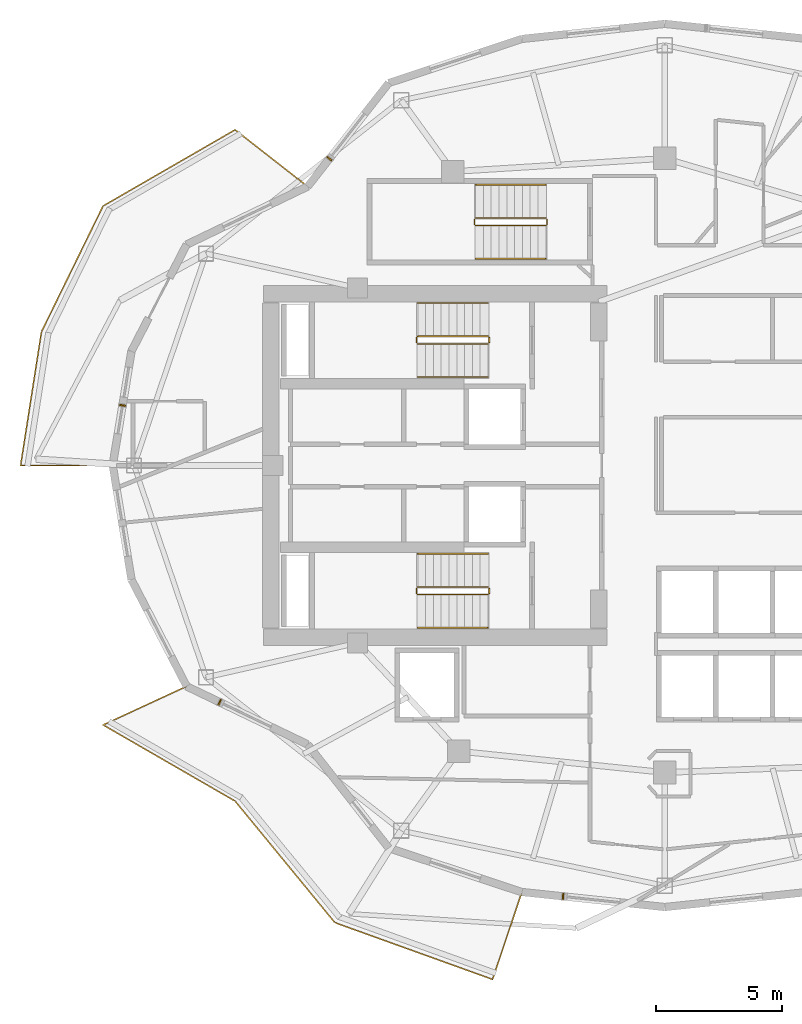
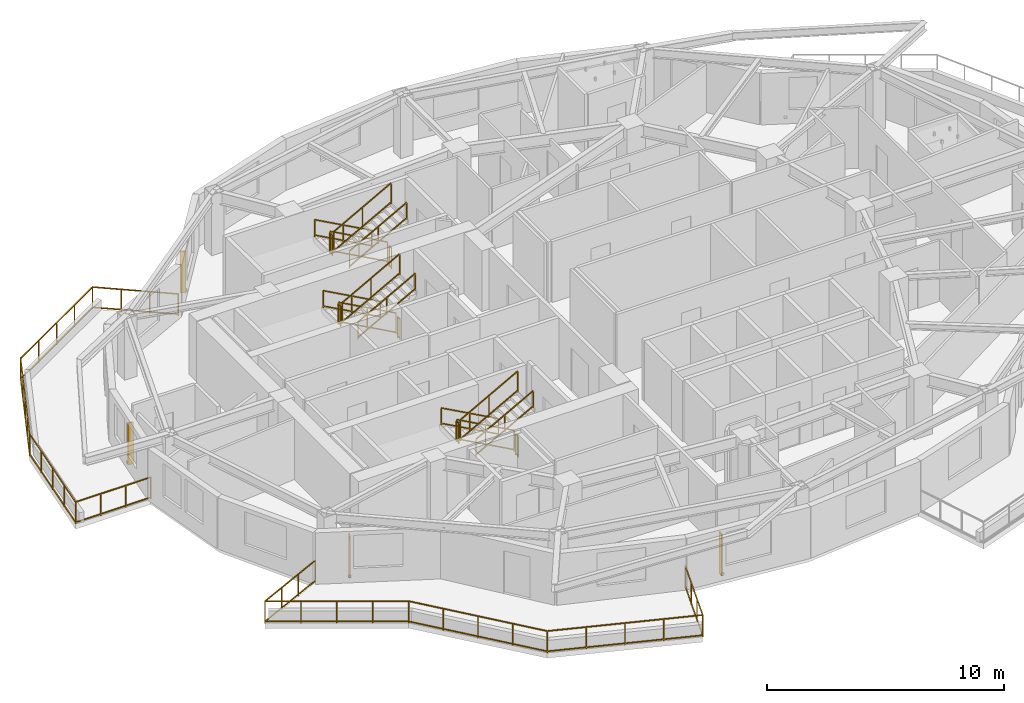
# One storey, part 9 of 10: 20 railings, 4 shading devices.
"""IFC4 building model written with IfcOpenShell, lengths in metres."""

from ifc_helpers import new_model, si_unit, direction, frame, origin, origin_2d, place, context, subcontext, project, spatial, rectangle, extrude, material, type_object, element, save


model = new_model("IFC4")

# Units and contexts
model_context = context("Model", 3, precision=1e-05, world=origin(), true_north=direction((0.0, 1.0)))
body_context = subcontext(model_context, "Body", "Model", "MODEL_VIEW")
ifc_project = project(units=[si_unit("LENGTHUNIT", "METRE"), si_unit("AREAUNIT", "SQUARE_METRE"), si_unit("VOLUMEUNIT", "CUBIC_METRE"), si_unit("PLANEANGLEUNIT", "RADIAN"), si_unit("MASSUNIT", "GRAM", prefix="KILO")], contexts=[model_context])

# Site, building, storey
site_placement = place(None, origin())
site = spatial("IfcSite", under=ifc_project, at=site_placement, CompositionType="ELEMENT")
building_placement = place(site_placement, origin())
building = spatial("IfcBuilding", under=site, at=building_placement, Name="Kolvaren Gate Tower and Convention Centre", CompositionType="ELEMENT")
storey_placement = place(building_placement, frame((0.0, 0.0, 146.10009765625)))
storey = spatial("IfcBuildingStorey", under=building, at=storey_placement, Name="L37", CompositionType="ELEMENT", Elevation=146.10009765625)

# Railings
ifc_material_1 = material(Name="Brushed Stainless Steel Grade 316L", Category="steel")
railing_type_1 = type_object("IfcRailingType", Name="ARCH-RL-GUARD-1150", PredefinedType="GUARDRAIL", material=ifc_material_1)
railing_1_placement = place(storey_placement, frame((23.10009765625, 32.1298828125, 0.169921875)))
element("IfcRailing", 1, at=railing_1_placement, inside=storey, type_object=railing_type_1, Name="L37 ST-T1 stair guard 1", PredefinedType="GUARDRAIL", context=body_context, shape_type="SweptSolid", body=[
    extrude(rectangle(XDim=0.048095703125, YDim=0.048095703125, at=origin_2d()), frame((0.0, 0.0, 1.076171875), z_axis=(-0.876811365212, 0.0, 0.480834513982), x_axis=(0.0, -1.0, 0.0)), (0.0, 0.0, 1.0), 3.18212890625),
    extrude(rectangle(XDim=0.048095703125, YDim=0.048095703125, at=origin_2d()), frame((0.0, 0.0, 0.083984375), z_axis=(-0.876811365212, 0.0, 0.480834513982), x_axis=(0.0, -1.0, 0.0)), (0.0, 0.0, 1.0), 3.18212890625),
    extrude(rectangle(XDim=0.0419921875, YDim=0.0419921875, at=origin_2d()), origin(), (0.0, 0.0, 1.0), 1.050048828125),
    extrude(rectangle(XDim=0.0419921875, YDim=0.0419921875, at=origin_2d()), frame((-2.7900390625, 0.0, 1.530029296875)), (0.0, 0.0, 1.0), 1.050048828125),
    extrude(rectangle(XDim=0.0419921875, YDim=0.0419921875, at=origin_2d()), frame((-1.39501953125, 0.0, 0.76513671875)), (0.0, 0.0, 1.0), 1.050048828125),
])
railing_2_placement = place(storey_placement, frame((20.260009765625, 32.080078125, 1.699951171875)))
element("IfcRailing", 2, at=railing_2_placement, inside=storey, type_object=railing_type_1, Name="L37 ST-T1 stair guard 2", PredefinedType="GUARDRAIL", context=body_context, shape_type="SweptSolid", body=[
    extrude(rectangle(XDim=0.048095703125, YDim=0.048095703125, at=origin_2d()), frame((0.0, 0.0, 1.076171875), z_axis=(0.0, -1.0, 0.0), x_axis=(1.0, 0.0, 0.0)), (0.0, 0.0, 1.0), 0.2001953125),
    extrude(rectangle(XDim=0.048095703125, YDim=0.048095703125, at=origin_2d()), frame((0.0, 0.0, 0.083984375), z_axis=(0.0, -1.0, 0.0), x_axis=(1.0, 0.0, 0.0)), (0.0, 0.0, 1.0), 0.2001953125),
    extrude(rectangle(XDim=0.0419921875, YDim=0.0419921875, at=origin_2d()), origin(), (0.0, 0.0, 1.0), 1.050048828125),
    extrude(rectangle(XDim=0.0419921875, YDim=0.0419921875, at=origin_2d()), frame((0.0, -0.2001953125, 0.0)), (0.0, 0.0, 1.0), 1.050048828125),
])
railing_3_placement = place(storey_placement, frame((20.31005859375, 31.830078125, 1.869873046875)))
element("IfcRailing", 3, at=railing_3_placement, inside=storey, type_object=railing_type_1, Name="L37 ST-T1 stair guard 3", PredefinedType="GUARDRAIL", context=body_context, shape_type="SweptSolid", body=[
    extrude(rectangle(XDim=0.048095703125, YDim=0.048095703125, at=origin_2d()), frame((0.0, 0.0, 1.076171875), z_axis=(0.876811365212, 0.0, 0.480834513982), x_axis=(0.0, 1.0, 0.0)), (0.0, 0.0, 1.0), 3.18212890625),
    extrude(rectangle(XDim=0.048095703125, YDim=0.048095703125, at=origin_2d()), frame((0.0, 0.0, 0.083984375), z_axis=(0.876811365212, 0.0, 0.480834513982), x_axis=(0.0, 1.0, 0.0)), (0.0, 0.0, 1.0), 3.18212890625),
    extrude(rectangle(XDim=0.0419921875, YDim=0.0419921875, at=origin_2d()), origin(), (0.0, 0.0, 1.0), 1.050048828125),
    extrude(rectangle(XDim=0.0419921875, YDim=0.0419921875, at=origin_2d()), frame((2.7900390625, 0.0, 1.530029296875)), (0.0, 0.0, 1.0), 1.050048828125),
    extrude(rectangle(XDim=0.0419921875, YDim=0.0419921875, at=origin_2d()), frame((1.39501953125, 0.0, 0.76513671875)), (0.0, 0.0, 1.0), 1.050048828125),
])
railing_4_placement = place(storey_placement, frame((23.14990234375, 32.080078125, 0.0)))
element("IfcRailing", 4, at=railing_4_placement, inside=storey, type_object=railing_type_1, Name="L37 ST-T1 stair guard 4", PredefinedType="GUARDRAIL", context=body_context, shape_type="SweptSolid", body=[
    extrude(rectangle(XDim=0.048095703125, YDim=0.048095703125, at=origin_2d()), frame((0.0, 0.0, 1.076171875), z_axis=(0.0, -1.0, 0.0), x_axis=(1.0, 0.0, 0.0)), (0.0, 0.0, 1.0), 0.2001953125),
    extrude(rectangle(XDim=0.048095703125, YDim=0.048095703125, at=origin_2d()), frame((0.0, 0.0, 0.083984375), z_axis=(0.0, -1.0, 0.0), x_axis=(1.0, 0.0, 0.0)), (0.0, 0.0, 1.0), 0.2001953125),
    extrude(rectangle(XDim=0.0419921875, YDim=0.0419921875, at=origin_2d()), origin(), (0.0, 0.0, 1.0), 1.050048828125),
    extrude(rectangle(XDim=0.0419921875, YDim=0.0419921875, at=origin_2d()), frame((0.0, -0.2001953125, 0.0)), (0.0, 0.0, 1.0), 1.050048828125),
])
railing_5_placement = place(storey_placement, frame((23.10009765625, 22.169921875, 0.169921875)))
element("IfcRailing", 5, at=railing_5_placement, inside=storey, type_object=railing_type_1, Name="L37 ST-T2 stair guard 1", PredefinedType="GUARDRAIL", context=body_context, shape_type="SweptSolid", body=[
    extrude(rectangle(XDim=0.048095703125, YDim=0.048095703125, at=origin_2d()), frame((0.0, 0.0, 1.076171875), z_axis=(-0.876811365212, 0.0, 0.480834513982), x_axis=(0.0, -1.0, 0.0)), (0.0, 0.0, 1.0), 3.18212890625),
    extrude(rectangle(XDim=0.048095703125, YDim=0.048095703125, at=origin_2d()), frame((0.0, 0.0, 0.083984375), z_axis=(-0.876811365212, 0.0, 0.480834513982), x_axis=(0.0, -1.0, 0.0)), (0.0, 0.0, 1.0), 3.18212890625),
    extrude(rectangle(XDim=0.0419921875, YDim=0.0419921875, at=origin_2d()), origin(), (0.0, 0.0, 1.0), 1.050048828125),
    extrude(rectangle(XDim=0.0419921875, YDim=0.0419921875, at=origin_2d()), frame((-2.7900390625, 0.0, 1.530029296875)), (0.0, 0.0, 1.0), 1.050048828125),
    extrude(rectangle(XDim=0.0419921875, YDim=0.0419921875, at=origin_2d()), frame((-1.39501953125, 0.0, 0.76513671875)), (0.0, 0.0, 1.0), 1.050048828125),
])
railing_6_placement = place(storey_placement, frame((20.260009765625, 22.1201171875, 1.699951171875)))
element("IfcRailing", 6, at=railing_6_placement, inside=storey, type_object=railing_type_1, Name="L37 ST-T2 stair guard 2", PredefinedType="GUARDRAIL", context=body_context, shape_type="SweptSolid", body=[
    extrude(rectangle(XDim=0.048095703125, YDim=0.048095703125, at=origin_2d()), frame((0.0, 0.0, 1.076171875), z_axis=(0.0, -1.0, 0.0), x_axis=(1.0, 0.0, 0.0)), (0.0, 0.0, 1.0), 0.2001953125),
    extrude(rectangle(XDim=0.048095703125, YDim=0.048095703125, at=origin_2d()), frame((0.0, 0.0, 0.083984375), z_axis=(0.0, -1.0, 0.0), x_axis=(1.0, 0.0, 0.0)), (0.0, 0.0, 1.0), 0.2001953125),
    extrude(rectangle(XDim=0.0419921875, YDim=0.0419921875, at=origin_2d()), origin(), (0.0, 0.0, 1.0), 1.050048828125),
    extrude(rectangle(XDim=0.0419921875, YDim=0.0419921875, at=origin_2d()), frame((0.0, -0.2001953125, 0.0)), (0.0, 0.0, 1.0), 1.050048828125),
])
railing_7_placement = place(storey_placement, frame((20.31005859375, 21.8701171875, 1.869873046875)))
element("IfcRailing", 7, at=railing_7_placement, inside=storey, type_object=railing_type_1, Name="L37 ST-T2 stair guard 3", PredefinedType="GUARDRAIL", context=body_context, shape_type="SweptSolid", body=[
    extrude(rectangle(XDim=0.048095703125, YDim=0.048095703125, at=origin_2d()), frame((0.0, 0.0, 1.076171875), z_axis=(0.876811365212, 0.0, 0.480834513982), x_axis=(0.0, 1.0, 0.0)), (0.0, 0.0, 1.0), 3.18212890625),
    extrude(rectangle(XDim=0.048095703125, YDim=0.048095703125, at=origin_2d()), frame((0.0, 0.0, 0.083984375), z_axis=(0.876811365212, 0.0, 0.480834513982), x_axis=(0.0, 1.0, 0.0)), (0.0, 0.0, 1.0), 3.18212890625),
    extrude(rectangle(XDim=0.0419921875, YDim=0.0419921875, at=origin_2d()), origin(), (0.0, 0.0, 1.0), 1.050048828125),
    extrude(rectangle(XDim=0.0419921875, YDim=0.0419921875, at=origin_2d()), frame((2.7900390625, 0.0, 1.530029296875)), (0.0, 0.0, 1.0), 1.050048828125),
    extrude(rectangle(XDim=0.0419921875, YDim=0.0419921875, at=origin_2d()), frame((1.39501953125, 0.0, 0.76513671875)), (0.0, 0.0, 1.0), 1.050048828125),
])
railing_8_placement = place(storey_placement, frame((23.14990234375, 22.1201171875, 0.0)))
element("IfcRailing", 8, at=railing_8_placement, inside=storey, type_object=railing_type_1, Name="L37 ST-T2 stair guard 4", PredefinedType="GUARDRAIL", context=body_context, shape_type="SweptSolid", body=[
    extrude(rectangle(XDim=0.048095703125, YDim=0.048095703125, at=origin_2d()), frame((0.0, 0.0, 1.076171875), z_axis=(0.0, -1.0, 0.0), x_axis=(1.0, 0.0, 0.0)), (0.0, 0.0, 1.0), 0.2001953125),
    extrude(rectangle(XDim=0.048095703125, YDim=0.048095703125, at=origin_2d()), frame((0.0, 0.0, 0.083984375), z_axis=(0.0, -1.0, 0.0), x_axis=(1.0, 0.0, 0.0)), (0.0, 0.0, 1.0), 0.2001953125),
    extrude(rectangle(XDim=0.0419921875, YDim=0.0419921875, at=origin_2d()), origin(), (0.0, 0.0, 1.0), 1.050048828125),
    extrude(rectangle(XDim=0.0419921875, YDim=0.0419921875, at=origin_2d()), frame((0.0, -0.2001953125, 0.0)), (0.0, 0.0, 1.0), 1.050048828125),
])
railing_9_placement = place(storey_placement, frame((25.39990234375, 36.830078125, 0.169921875)))
element("IfcRailing", 9, at=railing_9_placement, inside=storey, type_object=railing_type_1, Name="L37 ST-T3 stair guard 1", PredefinedType="GUARDRAIL", context=body_context, shape_type="SweptSolid", body=[
    extrude(rectangle(XDim=0.048095703125, YDim=0.048095703125, at=origin_2d()), frame((0.0, 0.0, 1.076171875), z_axis=(-0.8767936245, 0.0, 0.480866863109), x_axis=(0.0, -1.0, 0.0)), (0.0, 0.0, 1.0), 3.181884765625),
    extrude(rectangle(XDim=0.048095703125, YDim=0.048095703125, at=origin_2d()), frame((0.0, 0.0, 0.083984375), z_axis=(-0.8767936245, 0.0, 0.480866863109), x_axis=(0.0, -1.0, 0.0)), (0.0, 0.0, 1.0), 3.181884765625),
    extrude(rectangle(XDim=0.0419921875, YDim=0.0419921875, at=origin_2d()), origin(), (0.0, 0.0, 1.0), 1.050048828125),
    extrude(rectangle(XDim=0.0419921875, YDim=0.0419921875, at=origin_2d()), frame((-2.789794921875, 0.0, 1.530029296875)), (0.0, 0.0, 1.0), 1.050048828125),
    extrude(rectangle(XDim=0.0419921875, YDim=0.0419921875, at=origin_2d()), frame((-1.39501953125, 0.0, 0.76513671875)), (0.0, 0.0, 1.0), 1.050048828125),
])
railing_10_placement = place(storey_placement, frame((22.56005859375, 36.780029296875, 1.699951171875)))
element("IfcRailing", 10, at=railing_10_placement, inside=storey, type_object=railing_type_1, Name="L37 ST-T3 stair guard 2", PredefinedType="GUARDRAIL", context=body_context, shape_type="SweptSolid", body=[
    extrude(rectangle(XDim=0.048095703125, YDim=0.048095703125, at=origin_2d()), frame((0.0, 0.0, 1.076171875), z_axis=(0.0, -1.0, 0.0), x_axis=(1.0, 0.0, 0.0)), (0.0, 0.0, 1.0), 0.199951171875),
    extrude(rectangle(XDim=0.048095703125, YDim=0.048095703125, at=origin_2d()), frame((0.0, 0.0, 0.083984375), z_axis=(0.0, -1.0, 0.0), x_axis=(1.0, 0.0, 0.0)), (0.0, 0.0, 1.0), 0.199951171875),
    extrude(rectangle(XDim=0.0419921875, YDim=0.0419921875, at=origin_2d()), origin(), (0.0, 0.0, 1.0), 1.050048828125),
    extrude(rectangle(XDim=0.0419921875, YDim=0.0419921875, at=origin_2d()), frame((0.0, -0.199951171875, 0.0)), (0.0, 0.0, 1.0), 1.050048828125),
])
railing_11_placement = place(storey_placement, frame((22.610107421875, 36.530029296875, 1.869873046875)))
element("IfcRailing", 11, at=railing_11_placement, inside=storey, type_object=railing_type_1, Name="L37 ST-T3 stair guard 3", PredefinedType="GUARDRAIL", context=body_context, shape_type="SweptSolid", body=[
    extrude(rectangle(XDim=0.048095703125, YDim=0.048095703125, at=origin_2d()), frame((0.0, 0.0, 1.076171875), z_axis=(0.8767936245, 0.0, 0.480866863109), x_axis=(0.0, 1.0, 0.0)), (0.0, 0.0, 1.0), 3.181884765625),
    extrude(rectangle(XDim=0.048095703125, YDim=0.048095703125, at=origin_2d()), frame((0.0, 0.0, 0.083984375), z_axis=(0.8767936245, 0.0, 0.480866863109), x_axis=(0.0, 1.0, 0.0)), (0.0, 0.0, 1.0), 3.181884765625),
    extrude(rectangle(XDim=0.0419921875, YDim=0.0419921875, at=origin_2d()), origin(), (0.0, 0.0, 1.0), 1.050048828125),
    extrude(rectangle(XDim=0.0419921875, YDim=0.0419921875, at=origin_2d()), frame((2.789794921875, 0.0, 1.530029296875)), (0.0, 0.0, 1.0), 1.050048828125),
    extrude(rectangle(XDim=0.0419921875, YDim=0.0419921875, at=origin_2d()), frame((1.39501953125, 0.0, 0.76513671875)), (0.0, 0.0, 1.0), 1.050048828125),
])
railing_12_placement = place(storey_placement, frame((25.449951171875, 36.780029296875, 0.0)))
element("IfcRailing", 12, at=railing_12_placement, inside=storey, type_object=railing_type_1, Name="L37 ST-T3 stair guard 4", PredefinedType="GUARDRAIL", context=body_context, shape_type="SweptSolid", body=[
    extrude(rectangle(XDim=0.048095703125, YDim=0.048095703125, at=origin_2d()), frame((0.0, 0.0, 1.076171875), z_axis=(0.0, -1.0, 0.0), x_axis=(1.0, 0.0, 0.0)), (0.0, 0.0, 1.0), 0.199951171875),
    extrude(rectangle(XDim=0.048095703125, YDim=0.048095703125, at=origin_2d()), frame((0.0, 0.0, 0.083984375), z_axis=(0.0, -1.0, 0.0), x_axis=(1.0, 0.0, 0.0)), (0.0, 0.0, 1.0), 0.199951171875),
    extrude(rectangle(XDim=0.0419921875, YDim=0.0419921875, at=origin_2d()), origin(), (0.0, 0.0, 1.0), 1.050048828125),
    extrude(rectangle(XDim=0.0419921875, YDim=0.0419921875, at=origin_2d()), frame((0.0, -0.199951171875, 0.0)), (0.0, 0.0, 1.0), 1.050048828125),
])
railing_13_placement = place(storey_placement, frame((15.9365234375, 38.0859375, 0.0)))
element("IfcRailing", 13, at=railing_13_placement, inside=storey, type_object=railing_type_1, Name="Tower L37 Terrace Perimeter Guardrail GR-2", PredefinedType="GUARDRAIL", context=body_context, shape_type="SweptSolid", body=[
    extrude(rectangle(XDim=0.048095703125, YDim=0.048095703125, at=origin_2d()), frame((-0.022216796875, 0.017333984375, 1.1259765625), z_axis=(-0.787988976981, 0.61568934712, 0.0), x_axis=(-0.61568934712, -0.787988976981, 0.0)), (0.0, 0.0, 1.0), 3.60400390625),
    extrude(rectangle(XDim=0.048095703125, YDim=0.048095703125, at=origin_2d()), frame((-0.022216796875, 0.017333984375, 0.083984375), z_axis=(-0.787988976981, 0.61568934712, 0.0), x_axis=(-0.61568934712, -0.787988976981, 0.0)), (0.0, 0.0, 1.0), 3.60400390625),
    extrude(rectangle(XDim=0.048095703125, YDim=0.048095703125, at=origin_2d()), frame((-2.908203125, 2.239501953125, 1.1259765625), z_axis=(-0.866075571306, -0.499913097234, 0.0), x_axis=(0.499913097234, -0.866075571306, 0.0)), (0.0, 0.0, 1.0), 6.004150390625),
    extrude(rectangle(XDim=0.048095703125, YDim=0.048095703125, at=origin_2d()), frame((-2.908203125, 2.239501953125, 0.083984375), z_axis=(-0.866075571306, -0.499913097234, 0.0), x_axis=(0.499913097234, -0.866075571306, 0.0)), (0.0, 0.0, 1.0), 6.004150390625),
    extrude(rectangle(XDim=0.048095703125, YDim=0.048095703125, at=origin_2d()), frame((-8.14501953125, -0.80126953125, 1.1259765625), z_axis=(-0.439655234701, -0.898166618507, 0.0), x_axis=(0.898166618507, -0.439655234701, 0.0)), (0.0, 0.0, 1.0), 5.51123046875),
    extrude(rectangle(XDim=0.048095703125, YDim=0.048095703125, at=origin_2d()), frame((-8.14501953125, -0.80126953125, 0.083984375), z_axis=(-0.439655234701, -0.898166618507, 0.0), x_axis=(0.898166618507, -0.439655234701, 0.0)), (0.0, 0.0, 1.0), 5.51123046875),
    extrude(rectangle(XDim=0.048095703125, YDim=0.048095703125, at=origin_2d()), frame((-10.584716796875, -5.804443359375, 1.1259765625), z_axis=(-0.154200861408, -0.988039520637, 0.0), x_axis=(0.988039520637, -0.154200861408, 0.0)), (0.0, 0.0, 1.0), 5.3173828125),
    extrude(rectangle(XDim=0.048095703125, YDim=0.048095703125, at=origin_2d()), frame((-10.584716796875, -5.804443359375, 0.083984375), z_axis=(-0.154200861408, -0.988039520637, 0.0), x_axis=(0.988039520637, -0.154200861408, 0.0)), (0.0, 0.0, 1.0), 5.3173828125),
    extrude(rectangle(XDim=0.048095703125, YDim=0.048095703125, at=origin_2d()), frame((-11.380859375, -11.0859375, 1.1259765625), z_axis=(1.0, 0.0, 0.0), x_axis=(0.0, 1.0, 0.0)), (0.0, 0.0, 1.0), 3.603759765625),
    extrude(rectangle(XDim=0.048095703125, YDim=0.048095703125, at=origin_2d()), frame((-11.380859375, -11.0859375, 0.083984375), z_axis=(1.0, 0.0, 0.0), x_axis=(0.0, 1.0, 0.0)), (0.0, 0.0, 1.0), 3.603759765625),
    extrude(rectangle(XDim=0.0419921875, YDim=0.0419921875, at=origin_2d()), origin(), (0.0, 0.0, 1.0), 1.14990234375),
    extrude(rectangle(XDim=0.0419921875, YDim=0.0419921875, at=origin_2d()), frame((-2.884033203125, 2.25341796875, 0.0)), (0.0, 0.0, 1.0), 1.14990234375),
    extrude(rectangle(XDim=0.0419921875, YDim=0.0419921875, at=origin_2d()), frame((-0.96142578125, 0.751220703125, 0.0)), (0.0, 0.0, 1.0), 1.099853515625),
    extrude(rectangle(XDim=0.0419921875, YDim=0.0419921875, at=origin_2d()), frame((-1.922607421875, 1.502197265625, 0.0)), (0.0, 0.0, 1.0), 1.099853515625),
    extrude(rectangle(XDim=0.0419921875, YDim=0.0419921875, at=origin_2d()), frame((-8.132568359375, -0.776123046875, 0.0)), (0.0, 0.0, 1.0), 1.14990234375),
    extrude(rectangle(XDim=0.0419921875, YDim=0.0419921875, at=origin_2d()), frame((-4.1962890625, 1.49609375, 0.0)), (0.0, 0.0, 1.0), 1.099853515625),
    extrude(rectangle(XDim=0.0419921875, YDim=0.0419921875, at=origin_2d()), frame((-5.50830078125, 0.73876953125, 0.0)), (0.0, 0.0, 1.0), 1.099853515625),
    extrude(rectangle(XDim=0.0419921875, YDim=0.0419921875, at=origin_2d()), frame((-6.8203125, -0.018798828125, 0.0)), (0.0, 0.0, 1.0), 1.099853515625),
    extrude(rectangle(XDim=0.0419921875, YDim=0.0419921875, at=origin_2d()), frame((-10.580322265625, -5.776611328125, 0.0)), (0.0, 0.0, 1.0), 1.14990234375),
    extrude(rectangle(XDim=0.0419921875, YDim=0.0419921875, at=origin_2d()), frame((-8.74462890625, -2.0263671875, 0.0)), (0.0, 0.0, 1.0), 1.099853515625),
    extrude(rectangle(XDim=0.0419921875, YDim=0.0419921875, at=origin_2d()), frame((-9.3564453125, -3.2763671875, 0.0)), (0.0, 0.0, 1.0), 1.099853515625),
    extrude(rectangle(XDim=0.0419921875, YDim=0.0419921875, at=origin_2d()), frame((-9.96826171875, -4.5263671875, 0.0)), (0.0, 0.0, 1.0), 1.099853515625),
    extrude(rectangle(XDim=0.0419921875, YDim=0.0419921875, at=origin_2d()), frame((-11.408935546875, -11.0859375, 0.0)), (0.0, 0.0, 1.0), 1.14990234375),
    extrude(rectangle(XDim=0.0419921875, YDim=0.0419921875, at=origin_2d()), frame((-10.78759765625, -7.10400390625, 0.0)), (0.0, 0.0, 1.0), 1.099853515625),
    extrude(rectangle(XDim=0.0419921875, YDim=0.0419921875, at=origin_2d()), frame((-10.99462890625, -8.43115234375, 0.0)), (0.0, 0.0, 1.0), 1.099853515625),
    extrude(rectangle(XDim=0.0419921875, YDim=0.0419921875, at=origin_2d()), frame((-11.20166015625, -9.758544921875, 0.0)), (0.0, 0.0, 1.0), 1.099853515625),
    extrude(rectangle(XDim=0.0419921875, YDim=0.0419921875, at=origin_2d()), frame((-7.7490234375, -11.0859375, 0.0)), (0.0, 0.0, 1.0), 1.14990234375),
    extrude(rectangle(XDim=0.0419921875, YDim=0.0419921875, at=origin_2d()), frame((-10.18896484375, -11.0859375, 0.0)), (0.0, 0.0, 1.0), 1.099853515625),
    extrude(rectangle(XDim=0.0419921875, YDim=0.0419921875, at=origin_2d()), frame((-8.968994140625, -11.0859375, 0.0)), (0.0, 0.0, 1.0), 1.099853515625),
])
railing_14_placement = place(storey_placement, frame((11.126708984375, 18.22509765625, 0.0)))
element("IfcRailing", 14, at=railing_14_placement, inside=storey, type_object=railing_type_1, Name="Tower L37 Terrace Perimeter Guardrail GR-3", PredefinedType="GUARDRAIL", context=body_context, shape_type="SweptSolid", body=[
    extrude(rectangle(XDim=0.048095703125, YDim=0.048095703125, at=origin_2d()), frame((-0.025390625, -0.01171875, 1.1259765625), z_axis=(-0.907820723829, -0.419358478377, 0.0), x_axis=(0.419358478377, -0.907820723829, 0.0)), (0.0, 0.0, 1.0), 3.60400390625),
    extrude(rectangle(XDim=0.048095703125, YDim=0.048095703125, at=origin_2d()), frame((-0.025390625, -0.01171875, 0.083984375), z_axis=(-0.907820723829, -0.419358478377, 0.0), x_axis=(0.419358478377, -0.907820723829, 0.0)), (0.0, 0.0, 1.0), 3.60400390625),
    extrude(rectangle(XDim=0.048095703125, YDim=0.048095703125, at=origin_2d()), frame((-3.298583984375, -1.548828125, 1.1259765625), z_axis=(0.866075571306, -0.499913097234, 0.0), x_axis=(0.499913097234, 0.866075571306, 0.0)), (0.0, 0.0, 1.0), 6.004150390625),
    extrude(rectangle(XDim=0.048095703125, YDim=0.048095703125, at=origin_2d()), frame((-3.298583984375, -1.548828125, 0.083984375), z_axis=(0.866075571306, -0.499913097234, 0.0), x_axis=(0.499913097234, 0.866075571306, 0.0)), (0.0, 0.0, 1.0), 6.004150390625),
    extrude(rectangle(XDim=0.048095703125, YDim=0.048095703125, at=origin_2d()), frame((1.943603515625, -4.586181640625, 1.1259765625), z_axis=(0.634429234628, -0.77298094818, 0.0), x_axis=(0.77298094818, 0.634429234628, 0.0)), (0.0, 0.0, 1.0), 6.188720703125),
    extrude(rectangle(XDim=0.048095703125, YDim=0.048095703125, at=origin_2d()), frame((1.943603515625, -4.586181640625, 0.083984375), z_axis=(0.634429234628, -0.77298094818, 0.0), x_axis=(0.77298094818, 0.634429234628, 0.0)), (0.0, 0.0, 1.0), 6.188720703125),
    extrude(rectangle(XDim=0.048095703125, YDim=0.048095703125, at=origin_2d()), frame((5.9140625, -9.401123046875, 1.1259765625), z_axis=(0.940948576924, -0.338549517184, 0.0), x_axis=(0.338549517184, 0.940948576924, 0.0)), (0.0, 0.0, 1.0), 6.60791015625),
    extrude(rectangle(XDim=0.048095703125, YDim=0.048095703125, at=origin_2d()), frame((5.9140625, -9.401123046875, 0.083984375), z_axis=(0.940948576924, -0.338549517184, 0.0), x_axis=(0.338549517184, 0.940948576924, 0.0)), (0.0, 0.0, 1.0), 6.60791015625),
    extrude(rectangle(XDim=0.048095703125, YDim=0.048095703125, at=origin_2d()), frame((12.1669921875, -11.62109375, 1.1259765625), z_axis=(0.317568160167, 0.94823544737, 0.0), x_axis=(-0.94823544737, 0.317568160167, 0.0)), (0.0, 0.0, 1.0), 3.60400390625),
    extrude(rectangle(XDim=0.048095703125, YDim=0.048095703125, at=origin_2d()), frame((12.1669921875, -11.62109375, 0.083984375), z_axis=(0.317568160167, 0.94823544737, 0.0), x_axis=(-0.94823544737, 0.317568160167, 0.0)), (0.0, 0.0, 1.0), 3.60400390625),
    extrude(rectangle(XDim=0.0419921875, YDim=0.0419921875, at=origin_2d()), origin(), (0.0, 0.0, 1.0), 1.14990234375),
    extrude(rectangle(XDim=0.0419921875, YDim=0.0419921875, at=origin_2d()), frame((-3.32275390625, -1.534912109375, 0.0)), (0.0, 0.0, 1.0), 1.14990234375),
    extrude(rectangle(XDim=0.0419921875, YDim=0.0419921875, at=origin_2d()), frame((-1.107666015625, -0.51171875, 0.0)), (0.0, 0.0, 1.0), 1.099853515625),
    extrude(rectangle(XDim=0.0419921875, YDim=0.0419921875, at=origin_2d()), frame((-2.215087890625, -1.023193359375, 0.0)), (0.0, 0.0, 1.0), 1.099853515625),
    extrude(rectangle(XDim=0.0419921875, YDim=0.0419921875, at=origin_2d()), frame((1.92578125, -4.564453125, 0.0)), (0.0, 0.0, 1.0), 1.14990234375),
    extrude(rectangle(XDim=0.0419921875, YDim=0.0419921875, at=origin_2d()), frame((-2.0107421875, -2.292236328125, 0.0)), (0.0, 0.0, 1.0), 1.099853515625),
    extrude(rectangle(XDim=0.0419921875, YDim=0.0419921875, at=origin_2d()), frame((-0.698486328125, -3.0498046875, 0.0)), (0.0, 0.0, 1.0), 1.099853515625),
    extrude(rectangle(XDim=0.0419921875, YDim=0.0419921875, at=origin_2d()), frame((0.61376953125, -3.80712890625, 0.0)), (0.0, 0.0, 1.0), 1.099853515625),
    extrude(rectangle(XDim=0.0419921875, YDim=0.0419921875, at=origin_2d()), frame((5.8876953125, -9.3916015625, 0.0)), (0.0, 0.0, 1.0), 1.14990234375),
    extrude(rectangle(XDim=0.0419921875, YDim=0.0419921875, at=origin_2d()), frame((2.916259765625, -5.771240234375, 0.0)), (0.0, 0.0, 1.0), 1.099853515625),
    extrude(rectangle(XDim=0.0419921875, YDim=0.0419921875, at=origin_2d()), frame((3.90673828125, -6.97802734375, 0.0)), (0.0, 0.0, 1.0), 1.099853515625),
    extrude(rectangle(XDim=0.0419921875, YDim=0.0419921875, at=origin_2d()), frame((4.897216796875, -8.184814453125, 0.0)), (0.0, 0.0, 1.0), 1.099853515625),
    extrude(rectangle(XDim=0.0419921875, YDim=0.0419921875, at=origin_2d()), frame((12.158203125, -11.647705078125, 0.0)), (0.0, 0.0, 1.0), 1.14990234375),
    extrude(rectangle(XDim=0.0419921875, YDim=0.0419921875, at=origin_2d()), frame((7.455322265625, -9.95556640625, 0.0)), (0.0, 0.0, 1.0), 1.099853515625),
    extrude(rectangle(XDim=0.0419921875, YDim=0.0419921875, at=origin_2d()), frame((9.02294921875, -10.51953125, 0.0)), (0.0, 0.0, 1.0), 1.099853515625),
    extrude(rectangle(XDim=0.0419921875, YDim=0.0419921875, at=origin_2d()), frame((10.590576171875, -11.083740234375, 0.0)), (0.0, 0.0, 1.0), 1.099853515625),
    extrude(rectangle(XDim=0.0419921875, YDim=0.0419921875, at=origin_2d()), frame((13.320556640625, -8.177001953125, 0.0)), (0.0, 0.0, 1.0), 1.14990234375),
    extrude(rectangle(XDim=0.0419921875, YDim=0.0419921875, at=origin_2d()), frame((12.545654296875, -10.49072265625, 0.0)), (0.0, 0.0, 1.0), 1.099853515625),
    extrude(rectangle(XDim=0.0419921875, YDim=0.0419921875, at=origin_2d()), frame((12.93310546875, -9.333984375, 0.0)), (0.0, 0.0, 1.0), 1.099853515625),
])
railing_type_2 = type_object("IfcRailingType", Name="ARCH-RL-HANDRAIL-920", PredefinedType="HANDRAIL", material=ifc_material_1)
railing_15_placement = place(storey_placement, frame((23.10009765625, 33.449951171875, 0.169921875)))
element("IfcRailing", 15, at=railing_15_placement, inside=storey, type_object=railing_type_2, Name="L37 ST-T1 stair handrail 1", PredefinedType="HANDRAIL", context=body_context, shape_type="SweptSolid", body=[
    extrude(rectangle(XDim=0.048095703125, YDim=0.048095703125, at=origin_2d()), frame((0.0, 0.0, 0.8759765625), z_axis=(-0.876811365212, 0.0, 0.480834513982), x_axis=(0.0, -1.0, 0.0)), (0.0, 0.0, 1.0), 3.18212890625),
    extrude(rectangle(XDim=0.048095703125, YDim=0.048095703125, at=origin_2d()), frame((0.0, 0.0, 0.083984375), z_axis=(-0.876811365212, 0.0, 0.480834513982), x_axis=(0.0, -1.0, 0.0)), (0.0, 0.0, 1.0), 3.18212890625),
    extrude(rectangle(XDim=0.0419921875, YDim=0.0419921875, at=origin_2d()), origin(), (0.0, 0.0, 1.0), 0.849853515625),
    extrude(rectangle(XDim=0.0419921875, YDim=0.0419921875, at=origin_2d()), frame((-2.7900390625, 0.0, 1.530029296875)), (0.0, 0.0, 1.0), 0.849853515625),
    extrude(rectangle(XDim=0.0419921875, YDim=0.0419921875, at=origin_2d()), frame((-1.39501953125, 0.0, 0.76513671875)), (0.0, 0.0, 1.0), 0.849853515625),
])
railing_16_placement = place(storey_placement, frame((20.31005859375, 30.510009765625, 1.869873046875)))
element("IfcRailing", 16, at=railing_16_placement, inside=storey, type_object=railing_type_2, Name="L37 ST-T1 stair handrail 2", PredefinedType="HANDRAIL", context=body_context, shape_type="SweptSolid", body=[
    extrude(rectangle(XDim=0.048095703125, YDim=0.048095703125, at=origin_2d()), frame((0.0, 0.0, 0.8759765625), z_axis=(0.876811365212, 0.0, 0.480834513982), x_axis=(0.0, 1.0, 0.0)), (0.0, 0.0, 1.0), 3.18212890625),
    extrude(rectangle(XDim=0.048095703125, YDim=0.048095703125, at=origin_2d()), frame((0.0, 0.0, 0.083984375), z_axis=(0.876811365212, 0.0, 0.480834513982), x_axis=(0.0, 1.0, 0.0)), (0.0, 0.0, 1.0), 3.18212890625),
    extrude(rectangle(XDim=0.0419921875, YDim=0.0419921875, at=origin_2d()), origin(), (0.0, 0.0, 1.0), 0.849853515625),
    extrude(rectangle(XDim=0.0419921875, YDim=0.0419921875, at=origin_2d()), frame((2.7900390625, 0.0, 1.530029296875)), (0.0, 0.0, 1.0), 0.849853515625),
    extrude(rectangle(XDim=0.0419921875, YDim=0.0419921875, at=origin_2d()), frame((1.39501953125, 0.0, 0.76513671875)), (0.0, 0.0, 1.0), 0.849853515625),
])
railing_17_placement = place(storey_placement, frame((23.10009765625, 23.489990234375, 0.169921875)))
element("IfcRailing", 17, at=railing_17_placement, inside=storey, type_object=railing_type_2, Name="L37 ST-T2 stair handrail 1", PredefinedType="HANDRAIL", context=body_context, shape_type="SweptSolid", body=[
    extrude(rectangle(XDim=0.048095703125, YDim=0.048095703125, at=origin_2d()), frame((0.0, 0.0, 0.8759765625), z_axis=(-0.876811365212, 0.0, 0.480834513982), x_axis=(0.0, -1.0, 0.0)), (0.0, 0.0, 1.0), 3.18212890625),
    extrude(rectangle(XDim=0.048095703125, YDim=0.048095703125, at=origin_2d()), frame((0.0, 0.0, 0.083984375), z_axis=(-0.876811365212, 0.0, 0.480834513982), x_axis=(0.0, -1.0, 0.0)), (0.0, 0.0, 1.0), 3.18212890625),
    extrude(rectangle(XDim=0.0419921875, YDim=0.0419921875, at=origin_2d()), origin(), (0.0, 0.0, 1.0), 0.849853515625),
    extrude(rectangle(XDim=0.0419921875, YDim=0.0419921875, at=origin_2d()), frame((-2.7900390625, 0.0, 1.530029296875)), (0.0, 0.0, 1.0), 0.849853515625),
    extrude(rectangle(XDim=0.0419921875, YDim=0.0419921875, at=origin_2d()), frame((-1.39501953125, 0.0, 0.76513671875)), (0.0, 0.0, 1.0), 0.849853515625),
])
railing_18_placement = place(storey_placement, frame((20.31005859375, 20.550048828125, 1.869873046875)))
element("IfcRailing", 18, at=railing_18_placement, inside=storey, type_object=railing_type_2, Name="L37 ST-T2 stair handrail 2", PredefinedType="HANDRAIL", context=body_context, shape_type="SweptSolid", body=[
    extrude(rectangle(XDim=0.048095703125, YDim=0.048095703125, at=origin_2d()), frame((0.0, 0.0, 0.8759765625), z_axis=(0.876811365212, 0.0, 0.480834513982), x_axis=(0.0, 1.0, 0.0)), (0.0, 0.0, 1.0), 3.18212890625),
    extrude(rectangle(XDim=0.048095703125, YDim=0.048095703125, at=origin_2d()), frame((0.0, 0.0, 0.083984375), z_axis=(0.876811365212, 0.0, 0.480834513982), x_axis=(0.0, 1.0, 0.0)), (0.0, 0.0, 1.0), 3.18212890625),
    extrude(rectangle(XDim=0.0419921875, YDim=0.0419921875, at=origin_2d()), origin(), (0.0, 0.0, 1.0), 0.849853515625),
    extrude(rectangle(XDim=0.0419921875, YDim=0.0419921875, at=origin_2d()), frame((2.7900390625, 0.0, 1.530029296875)), (0.0, 0.0, 1.0), 0.849853515625),
    extrude(rectangle(XDim=0.0419921875, YDim=0.0419921875, at=origin_2d()), frame((1.39501953125, 0.0, 0.76513671875)), (0.0, 0.0, 1.0), 0.849853515625),
])
railing_19_placement = place(storey_placement, frame((25.39990234375, 38.14990234375, 0.169921875)))
element("IfcRailing", 19, at=railing_19_placement, inside=storey, type_object=railing_type_2, Name="L37 ST-T3 stair handrail 1", PredefinedType="HANDRAIL", context=body_context, shape_type="SweptSolid", body=[
    extrude(rectangle(XDim=0.048095703125, YDim=0.048095703125, at=origin_2d()), frame((0.0, 0.0, 0.8759765625), z_axis=(-0.8767936245, 0.0, 0.480866863109), x_axis=(0.0, -1.0, 0.0)), (0.0, 0.0, 1.0), 3.181884765625),
    extrude(rectangle(XDim=0.048095703125, YDim=0.048095703125, at=origin_2d()), frame((0.0, 0.0, 0.083984375), z_axis=(-0.8767936245, 0.0, 0.480866863109), x_axis=(0.0, -1.0, 0.0)), (0.0, 0.0, 1.0), 3.181884765625),
    extrude(rectangle(XDim=0.0419921875, YDim=0.0419921875, at=origin_2d()), origin(), (0.0, 0.0, 1.0), 0.849853515625),
    extrude(rectangle(XDim=0.0419921875, YDim=0.0419921875, at=origin_2d()), frame((-2.789794921875, 0.0, 1.530029296875)), (0.0, 0.0, 1.0), 0.849853515625),
    extrude(rectangle(XDim=0.0419921875, YDim=0.0419921875, at=origin_2d()), frame((-1.39501953125, 0.0, 0.76513671875)), (0.0, 0.0, 1.0), 0.849853515625),
])
railing_20_placement = place(storey_placement, frame((22.610107421875, 35.2099609375, 1.869873046875)))
element("IfcRailing", 20, at=railing_20_placement, inside=storey, type_object=railing_type_2, Name="L37 ST-T3 stair handrail 2", PredefinedType="HANDRAIL", context=body_context, shape_type="SweptSolid", body=[
    extrude(rectangle(XDim=0.048095703125, YDim=0.048095703125, at=origin_2d()), frame((0.0, 0.0, 0.8759765625), z_axis=(0.8767936245, 0.0, 0.480866863109), x_axis=(0.0, 1.0, 0.0)), (0.0, 0.0, 1.0), 3.181884765625),
    extrude(rectangle(XDim=0.048095703125, YDim=0.048095703125, at=origin_2d()), frame((0.0, 0.0, 0.083984375), z_axis=(0.8767936245, 0.0, 0.480866863109), x_axis=(0.0, 1.0, 0.0)), (0.0, 0.0, 1.0), 3.181884765625),
    extrude(rectangle(XDim=0.0419921875, YDim=0.0419921875, at=origin_2d()), origin(), (0.0, 0.0, 1.0), 0.849853515625),
    extrude(rectangle(XDim=0.0419921875, YDim=0.0419921875, at=origin_2d()), frame((2.789794921875, 0.0, 1.530029296875)), (0.0, 0.0, 1.0), 0.849853515625),
    extrude(rectangle(XDim=0.0419921875, YDim=0.0419921875, at=origin_2d()), frame((1.39501953125, 0.0, 0.76513671875)), (0.0, 0.0, 1.0), 0.849853515625),
])

# Shading devices
ifc_material_2 = material(Name="Kiln-Fired Bogota Terracotta Ceramic Louvre Profile", Category="masonry")
shading_device_type = type_object("IfcShadingDeviceType", Name="ARCH-SHD-FIN-180", PredefinedType="JALOUSIE", material=ifc_material_2)
for number, where, z_axis, x_axis, name in (
    (21, (16.80078125, 39.18994140625, 0.219970703125), (0.0, 0.0, 1.0), (0.616446487588, 0.787396804629, 0.0), "Ceramic Vertical Brise-Soleil Fin FN-L37-08"),
    (22, (8.58056640625, 29.387939453125, 0.219970703125), (0.0, 0.0, 1.0), (0.162380568014, 0.986728205298, 0.0), "Ceramic Vertical Brise-Soleil Fin FN-L37-11"),
    (23, (12.44091796875, 17.593505859375, 0.219970703125), (0.0, 0.0, 1.0), (0.901358389955, -0.433073957723, 0.0), "Ceramic Vertical Brise-Soleil Fin FN-L37-14"),
    (24, (26.083251953125, 9.875732421875, 0.219970703125), (0.0, 0.0, 1.0), (0.994499249941, -0.104743696069, 0.0), "Ceramic Vertical Brise-Soleil Fin FN-L37-17"),
):
    element("IfcShadingDevice", number, at=place(storey_placement, frame(where, z_axis=z_axis, x_axis=x_axis)), inside=storey, type_object=shading_device_type, Name=name, PredefinedType="JALOUSIE", context=body_context, shape_type="SweptSolid", body=[
        extrude(rectangle(XDim=0.06005859375, YDim=0.239990234375, at=origin_2d()), origin(), (0.0, 0.0, 1.0), 2.14990234375),
    ])

save(model, "model.ifc")
